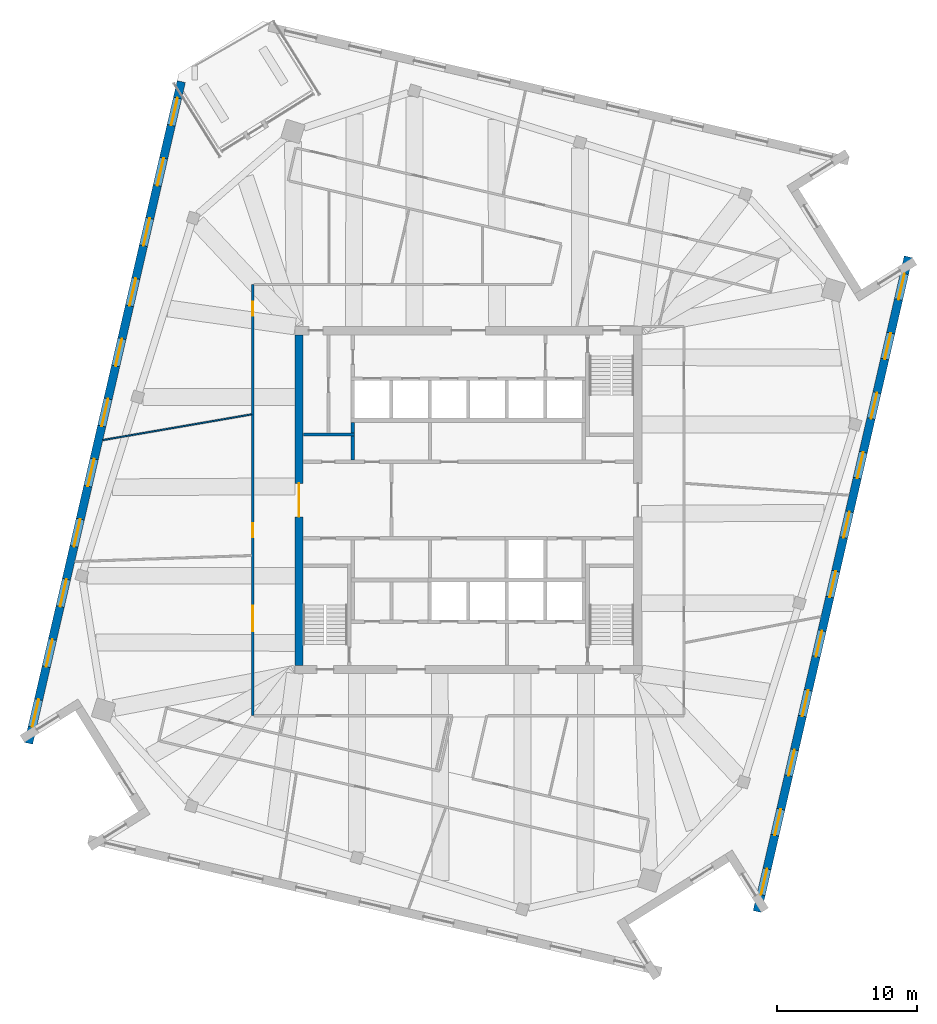
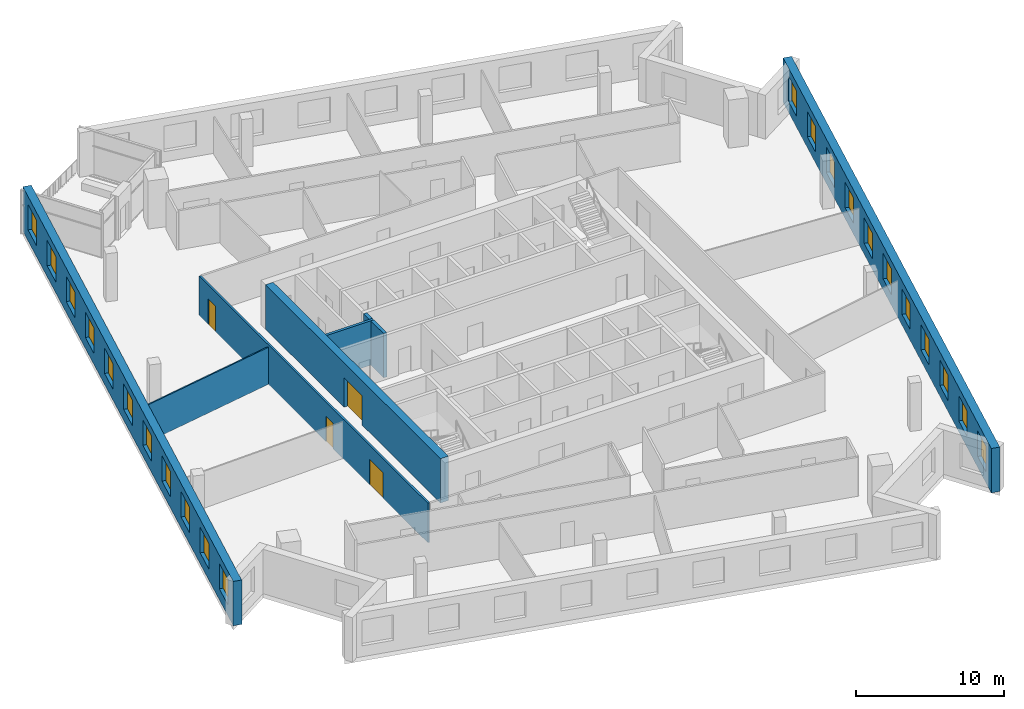
# One storey, part 8 of 14: 22 windows, 8 walls, 4 doors, 26 openings.
"""IFC4 building model written with IfcOpenShell, lengths in metres."""

from ifc_helpers import new_model, si_unit, direction, frame, frame_2d, origin, place, context, subcontext, project, spatial, rectangle, extrude, material, layer, layer_set, type_object, element, fill, save


model = new_model("IFC4")

# Units and contexts
model_context = context("Model", 3, precision=1e-05, world=origin(), true_north=direction((0.0, 1.0)))
body_context = subcontext(model_context, "Body", "Model", "MODEL_VIEW")
ifc_project = project(units=[si_unit("LENGTHUNIT", "METRE"), si_unit("AREAUNIT", "SQUARE_METRE"), si_unit("VOLUMEUNIT", "CUBIC_METRE"), si_unit("PLANEANGLEUNIT", "RADIAN"), si_unit("MASSUNIT", "GRAM", prefix="KILO")], contexts=[model_context])

# Site, building, storey
site_placement = place(None, origin())
site = spatial("IfcSite", under=ifc_project, at=site_placement, CompositionType="ELEMENT")
building_placement = place(site_placement, origin())
building = spatial("IfcBuilding", under=site, at=building_placement, Name="Dilmun Exchange Tower", CompositionType="ELEMENT")
storey_placement = place(building_placement, frame((0.0, 0.0, 332.5)))
storey = spatial("IfcBuildingStorey", under=building, at=storey_placement, Name="L79", CompositionType="ELEMENT", Elevation=332.5)

# Walls
ifc_material_1 = material(Name="Concrete C40/50", Category="concrete")
ifc_layer_1 = layer(ifc_material_1, 0.199951171875)
ifc_layer_set_1 = layer_set([ifc_layer_1], Name="Concrete C40/50")
wall_type_1 = type_object("IfcWallType", Name="Core partition wall 200", PredefinedType="PARTITIONING", material=ifc_layer_set_1)
wall_1_placement = place(storey_placement, frame((-11.794921875, 4.675048828125, 0.0), z_axis=(0.0, 0.0, 1.0), x_axis=(1.0, 0.0, 0.0)))
element("IfcWall", 1, at=wall_1_placement, inside=storey, type_object=wall_type_1, Name="L79 core partition wall 16", PredefinedType="PARTITIONING", context=body_context, shape_type="SweptSolid", body=[
    extrude(rectangle(XDim=3.64501953125, YDim=0.199951171875, at=frame_2d((1.822509765625, 0.0))), origin(), (0.0, 0.0, 1.0), 3.64990234375),
])
ifc_layer_2 = layer(ifc_material_1, 0.25)
ifc_layer_set_2 = layer_set([ifc_layer_2], Name="Concrete C40/50")
wall_type_2 = type_object("IfcWallType", Name="Core partition wall 250", PredefinedType="PARTITIONING", material=ifc_layer_set_2)
wall_2_placement = place(storey_placement, frame((-8.25, 2.85498046875, 0.0), z_axis=(0.0, 0.0, 1.0), x_axis=(0.0, 1.0, 0.0)))
element("IfcWall", 2, at=wall_2_placement, inside=storey, type_object=wall_type_2, Name="L79 core partition wall 13", PredefinedType="PARTITIONING", context=body_context, shape_type="SweptSolid", body=[
    extrude(rectangle(XDim=1.715087890625, YDim=0.25, at=frame_2d((0.857421875, 0.0))), origin(), (0.0, 0.0, 1.0), 3.64990234375),
])
wall_3_placement = place(storey_placement, frame((-8.25, 4.780029296875, 0.0), z_axis=(0.0, 0.0, 1.0), x_axis=(0.0, 1.0, 0.0)))
element("IfcWall", 3, at=wall_3_placement, inside=storey, type_object=wall_type_2, Name="L79 core partition wall 18", PredefinedType="PARTITIONING", context=body_context, shape_type="SweptSolid", body=[
    extrude(rectangle(XDim=0.764892578125, YDim=0.25, at=frame_2d((0.38232421875, 0.0))), origin(), (0.0, 0.0, 1.0), 3.64990234375),
])

# Wall, opening, door
ifc_material_2 = material(Name="Concrete C50/60", Category="concrete")
ifc_layer_3 = layer(ifc_material_2, 0.60009765625)
ifc_layer_set_3 = layer_set([ifc_layer_3], Name="Concrete C50/60")
wall_type_3 = type_object("IfcWallType", Name="Core shear wall 600 Concrete C50/60", PredefinedType="SHEAR", material=ifc_layer_set_3)
wall_4_placement = place(storey_placement, frame((-12.10009765625, -11.800048828125, 0.0), z_axis=(0.0, 0.0, 1.0), x_axis=(0.0, 1.0, 0.0)))
wall_4 = element("IfcWall", 4, at=wall_4_placement, inside=storey, type_object=wall_type_3, Name="L79 core shear wall W", PredefinedType="SHEAR", context=body_context, shape_type="SweptSolid", body=[
    extrude(rectangle(XDim=23.60009765625, YDim=0.60009765625, at=frame_2d((11.800048828125, 0.0))), origin(), (0.0, 0.0, 1.0), 3.64990234375),
])
opening_1_placement = place(wall_4_placement, frame((10.60009765625, 0.0, 0.0)))
opening_1 = element("IfcOpeningElement", 5, at=opening_1_placement, cuts=wall_4, Name="Opening CD1", PredefinedType="OPENING", context=body_context, shape_type="SweptSolid", body=[
    extrude(rectangle(XDim=2.39990234375, YDim=2.39990234375, at=frame_2d((1.199951171875, 1.199951171875))), frame((0.0, 0.31005859375, 0.0), z_axis=(0.0, -1.0, 0.0), x_axis=(1.0, 0.0, 0.0)), (0.0, 0.0, 1.0), 0.6201171875),
])
ifc_material_3 = material(Name="Fire-rated steel door set", Category="steel")
door_type_1 = type_object("IfcDoorType", Name="Core lobby door 2400x2400", OperationType="DOUBLE_DOOR_DOUBLE_SWING", PredefinedType="DOOR", material=ifc_material_3)
door_1_placement = place(opening_1_placement, origin())
door_1 = element("IfcDoor", 6, at=door_1_placement, inside=storey, type_object=door_type_1, Name="L79 door Central lift lobby", OperationType="SINGLE_SWING_LEFT", OverallHeight=2.39990234375, OverallWidth=2.39990234375, PredefinedType="DOOR", context=body_context, shape_type="SweptSolid", body=[
    extrude(rectangle(XDim=2.39990234375, YDim=2.39990234375, at=frame_2d((1.199951171875, 1.199951171875))), frame((0.0, 0.02490234375, 0.0), z_axis=(0.0, -1.0, 0.0), x_axis=(1.0, 0.0, 0.0)), (0.0, 0.0, 1.0), 0.050048828125),
])
fill(opening_1, door_1)

# Wall, openings, doors
ifc_material_4 = material(Name="Corridor wall 150")
ifc_layer_4 = layer(ifc_material_4, 0.14990234375)
ifc_layer_set_4 = layer_set([ifc_layer_4], Name="Corridor wall 150")
wall_type_4 = type_object("IfcWallType", Name="Corridor wall 150", PredefinedType="PARTITIONING", material=ifc_layer_set_4)
wall_5_placement = place(storey_placement, frame((-15.39990234375, -15.39990234375, 0.0), z_axis=(0.0, 0.0, 1.0), x_axis=(0.0, 1.0, 0.0)))
wall_5 = element("IfcWall", 7, at=wall_5_placement, inside=storey, type_object=wall_type_4, Name="Corridor wall", PredefinedType="PARTITIONING", context=body_context, shape_type="SweptSolid", body=[
    extrude(rectangle(XDim=30.7998046875, YDim=0.14990234375, at=frame_2d((15.39990234375, 0.0))), origin(), (0.0, 0.0, 1.0), 3.25),
])
opening_2_placement = place(wall_5_placement, frame((12.74072265625, 0.0, 0.0)))
opening_2 = element("IfcOpeningElement", 8, at=opening_2_placement, cuts=wall_5, Name="Opening TF79-D01", PredefinedType="OPENING", context=body_context, shape_type="SweptSolid", body=[
    extrude(rectangle(XDim=1.0, YDim=2.10009765625, at=frame_2d((0.5, 1.050048828125))), frame((0.0, 0.0849609375, 0.0), z_axis=(0.0, -1.0, 0.0), x_axis=(1.0, 0.0, 0.0)), (0.0, 0.0, 1.0), 0.169921875),
])
opening_3_placement = place(wall_5_placement, frame((6.050048828125, 0.0, 0.0)))
opening_3 = element("IfcOpeningElement", 9, at=opening_3_placement, cuts=wall_5, Name="Opening TF79-D02", PredefinedType="OPENING", context=body_context, shape_type="SweptSolid", body=[
    extrude(rectangle(XDim=1.800048828125, YDim=2.10009765625, at=frame_2d((0.89990234375, 1.050048828125))), frame((0.0, 0.0849609375, 0.0), z_axis=(0.0, -1.0, 0.0), x_axis=(1.0, 0.0, 0.0)), (0.0, 0.0, 1.0), 0.169921875),
])
opening_4_placement = place(wall_5_placement, frame((28.576904296875, 0.0, 0.0)))
opening_4 = element("IfcOpeningElement", 10, at=opening_4_placement, cuts=wall_5, Name="Opening TF79-D05", PredefinedType="OPENING", context=body_context, shape_type="SweptSolid", body=[
    extrude(rectangle(XDim=1.0, YDim=2.10009765625, at=frame_2d((0.5, 1.050048828125))), frame((0.0, 0.0849609375, 0.0), z_axis=(0.0, -1.0, 0.0), x_axis=(1.0, 0.0, 0.0)), (0.0, 0.0, 1.0), 0.169921875),
])
ifc_material_5 = material(Name="Fire door 1000 x 2100")
door_type_2 = type_object("IfcDoorType", Name="Fire door 1000 x 2100", OperationType="NOTDEFINED", PredefinedType="DOOR", material=ifc_material_5)
door_2_placement = place(opening_2_placement, origin())
door_2 = element("IfcDoor", 11, at=door_2_placement, inside=storey, type_object=door_type_2, Name="Door TF79-D01", OperationType="SINGLE_SWING_LEFT", OverallHeight=2.10009765625, OverallWidth=1.0, PredefinedType="DOOR", context=body_context, shape_type="SweptSolid", body=[
    extrude(rectangle(XDim=1.0, YDim=2.10009765625, at=frame_2d((0.5, 1.050048828125))), frame((0.0, 0.02490234375, 0.0), z_axis=(0.0, -1.0, 0.0), x_axis=(1.0, 0.0, 0.0)), (0.0, 0.0, 1.0), 0.050048828125),
])
fill(opening_2, door_2)
door_3_placement = place(opening_4_placement, origin())
door_3 = element("IfcDoor", 12, at=door_3_placement, inside=storey, type_object=door_type_2, Name="Door TF79-D05", OperationType="SINGLE_SWING_RIGHT", OverallHeight=2.10009765625, OverallWidth=1.0, PredefinedType="DOOR", context=body_context, shape_type="SweptSolid", body=[
    extrude(rectangle(XDim=1.0, YDim=2.10009765625, at=frame_2d((0.5, 1.050048828125))), frame((0.0, 0.02490234375, 0.0), z_axis=(0.0, -1.0, 0.0), x_axis=(1.0, 0.0, 0.0)), (0.0, 0.0, 1.0), 0.050048828125),
])
fill(opening_4, door_3)
ifc_material_6 = material(Name="Fire door pair 1800 x 2100")
door_type_3 = type_object("IfcDoorType", Name="Fire door pair 1800 x 2100", OperationType="NOTDEFINED", PredefinedType="DOOR", material=ifc_material_6)
door_4_placement = place(opening_3_placement, origin())
door_4 = element("IfcDoor", 13, at=door_4_placement, inside=storey, type_object=door_type_3, Name="Door TF79-D02", OperationType="DOUBLE_DOOR_SINGLE_SWING", OverallHeight=2.10009765625, OverallWidth=1.800048828125, PredefinedType="DOOR", context=body_context, shape_type="SweptSolid", body=[
    extrude(rectangle(XDim=1.800048828125, YDim=2.10009765625, at=frame_2d((0.89990234375, 1.050048828125))), frame((0.0, 0.02490234375, 0.0), z_axis=(0.0, -1.0, 0.0), x_axis=(1.0, 0.0, 0.0)), (0.0, 0.0, 1.0), 0.050048828125),
])
fill(opening_3, door_4)

# Wall
ifc_material_7 = material(Name="Partition 100")
ifc_layer_5 = layer(ifc_material_7, 0.10009765625)
ifc_layer_set_5 = layer_set([ifc_layer_5], Name="Partition 100")
wall_type_5 = type_object("IfcWallType", Name="Partition 100", PredefinedType="PARTITIONING", material=ifc_layer_set_5)
wall_6_placement = place(storey_placement, frame((-26.103271484375, 4.2841796875, 0.0), z_axis=(0.0, 0.0, 1.0), x_axis=(0.985391107222, 0.170306681627, 0.0)))
element("IfcWall", 14, at=wall_6_placement, inside=storey, type_object=wall_type_5, Name="Partition", PredefinedType="PARTITIONING", context=body_context, shape_type="SweptSolid", body=[
    extrude(rectangle(XDim=10.77734375, YDim=0.10009765625, at=frame_2d((5.388671875, 0.0))), origin(), (0.0, 0.0, 1.0), 3.050048828125),
])

# Wall, openings, windows
ifc_material_8 = material(Name="Precast concrete C50/60", Category="concrete")
ifc_layer_6 = layer(ifc_material_8, 0.60009765625)
ifc_layer_set_6 = layer_set([ifc_layer_6], Name="Precast concrete C50/60")
wall_type_6 = type_object("IfcWallType", Name="Precast stone-clad wall 600", PredefinedType="STANDARD", material=ifc_layer_set_6)
wall_7_placement = place(storey_placement, frame((-20.50439453125, 29.87841796875, 0.0), z_axis=(0.0, 0.0, 1.0), x_axis=(-0.224949596638, -0.974370401322, 0.0)))
wall_7 = element("IfcWall", 15, at=wall_7_placement, inside=storey, type_object=wall_type_6, Name="Facade wall L79-03", PredefinedType="STANDARD", context=body_context, shape_type="SweptSolid", body=[
    extrude(rectangle(XDim=48.489501953125, YDim=0.60009765625, at=frame_2d((24.24462890625, 0.0))), origin(), (0.0, 0.0, 1.0), 3.64990234375),
])
opening_5_placement = place(wall_7_placement, frame((1.2041015625, 0.0, 0.89990234375)))
opening_5 = element("IfcOpeningElement", 16, at=opening_5_placement, cuts=wall_7, Name="Opening W200-210", PredefinedType="OPENING", context=body_context, shape_type="SweptSolid", body=[
    extrude(rectangle(XDim=2.0, YDim=2.10009765625, at=frame_2d((1.0, 1.050048828125))), frame((0.0, 0.31005859375, 0.0), z_axis=(0.0, -1.0, 0.0), x_axis=(1.0, 0.0, 0.0)), (0.0, 0.0, 1.0), 0.6201171875),
])
opening_6_placement = place(wall_7_placement, frame((5.6123046875, 0.0, 0.89990234375)))
opening_6 = element("IfcOpeningElement", 17, at=opening_6_placement, cuts=wall_7, Name="Opening W200-210", PredefinedType="OPENING", context=body_context, shape_type="SweptSolid", body=[
    extrude(rectangle(XDim=2.0, YDim=2.10009765625, at=frame_2d((1.0, 1.050048828125))), frame((0.0, 0.31005859375, 0.0), z_axis=(0.0, -1.0, 0.0), x_axis=(1.0, 0.0, 0.0)), (0.0, 0.0, 1.0), 0.6201171875),
])
opening_7_placement = place(wall_7_placement, frame((10.0205078125, 0.0, 0.89990234375)))
opening_7 = element("IfcOpeningElement", 18, at=opening_7_placement, cuts=wall_7, Name="Opening W200-210", PredefinedType="OPENING", context=body_context, shape_type="SweptSolid", body=[
    extrude(rectangle(XDim=2.0, YDim=2.10009765625, at=frame_2d((1.0, 1.050048828125))), frame((0.0, 0.31005859375, 0.0), z_axis=(0.0, -1.0, 0.0), x_axis=(1.0, 0.0, 0.0)), (0.0, 0.0, 1.0), 0.6201171875),
])
opening_8_placement = place(wall_7_placement, frame((14.428466796875, 0.0, 0.89990234375)))
opening_8 = element("IfcOpeningElement", 19, at=opening_8_placement, cuts=wall_7, Name="Opening W200-210", PredefinedType="OPENING", context=body_context, shape_type="SweptSolid", body=[
    extrude(rectangle(XDim=2.0, YDim=2.10009765625, at=frame_2d((1.0, 1.050048828125))), frame((0.0, 0.31005859375, 0.0), z_axis=(0.0, -1.0, 0.0), x_axis=(1.0, 0.0, 0.0)), (0.0, 0.0, 1.0), 0.6201171875),
])
opening_9_placement = place(wall_7_placement, frame((18.836669921875, 0.0, 0.89990234375)))
opening_9 = element("IfcOpeningElement", 20, at=opening_9_placement, cuts=wall_7, Name="Opening W200-210", PredefinedType="OPENING", context=body_context, shape_type="SweptSolid", body=[
    extrude(rectangle(XDim=2.0, YDim=2.10009765625, at=frame_2d((1.0, 1.050048828125))), frame((0.0, 0.31005859375, 0.0), z_axis=(0.0, -1.0, 0.0), x_axis=(1.0, 0.0, 0.0)), (0.0, 0.0, 1.0), 0.6201171875),
])
opening_10_placement = place(wall_7_placement, frame((23.244873046875, 0.0, 0.89990234375)))
opening_10 = element("IfcOpeningElement", 21, at=opening_10_placement, cuts=wall_7, Name="Opening W200-210", PredefinedType="OPENING", context=body_context, shape_type="SweptSolid", body=[
    extrude(rectangle(XDim=2.0, YDim=2.10009765625, at=frame_2d((1.0, 1.050048828125))), frame((0.0, 0.31005859375, 0.0), z_axis=(0.0, -1.0, 0.0), x_axis=(1.0, 0.0, 0.0)), (0.0, 0.0, 1.0), 0.6201171875),
])
opening_11_placement = place(wall_7_placement, frame((27.65283203125, 0.0, 0.89990234375)))
opening_11 = element("IfcOpeningElement", 22, at=opening_11_placement, cuts=wall_7, Name="Opening W200-210", PredefinedType="OPENING", context=body_context, shape_type="SweptSolid", body=[
    extrude(rectangle(XDim=2.0, YDim=2.10009765625, at=frame_2d((1.0, 1.050048828125))), frame((0.0, 0.31005859375, 0.0), z_axis=(0.0, -1.0, 0.0), x_axis=(1.0, 0.0, 0.0)), (0.0, 0.0, 1.0), 0.6201171875),
])
opening_12_placement = place(wall_7_placement, frame((32.06103515625, 0.0, 0.89990234375)))
opening_12 = element("IfcOpeningElement", 23, at=opening_12_placement, cuts=wall_7, Name="Opening W200-210", PredefinedType="OPENING", context=body_context, shape_type="SweptSolid", body=[
    extrude(rectangle(XDim=2.0, YDim=2.10009765625, at=frame_2d((1.0, 1.050048828125))), frame((0.0, 0.31005859375, 0.0), z_axis=(0.0, -1.0, 0.0), x_axis=(1.0, 0.0, 0.0)), (0.0, 0.0, 1.0), 0.6201171875),
])
opening_13_placement = place(wall_7_placement, frame((36.46923828125, 0.0, 0.89990234375)))
opening_13 = element("IfcOpeningElement", 24, at=opening_13_placement, cuts=wall_7, Name="Opening W200-210", PredefinedType="OPENING", context=body_context, shape_type="SweptSolid", body=[
    extrude(rectangle(XDim=2.0, YDim=2.10009765625, at=frame_2d((1.0, 1.050048828125))), frame((0.0, 0.31005859375, 0.0), z_axis=(0.0, -1.0, 0.0), x_axis=(1.0, 0.0, 0.0)), (0.0, 0.0, 1.0), 0.6201171875),
])
opening_14_placement = place(wall_7_placement, frame((40.87744140625, 0.0, 0.89990234375)))
opening_14 = element("IfcOpeningElement", 25, at=opening_14_placement, cuts=wall_7, Name="Opening W200-210", PredefinedType="OPENING", context=body_context, shape_type="SweptSolid", body=[
    extrude(rectangle(XDim=2.0, YDim=2.10009765625, at=frame_2d((1.0, 1.050048828125))), frame((0.0, 0.31005859375, 0.0), z_axis=(0.0, -1.0, 0.0), x_axis=(1.0, 0.0, 0.0)), (0.0, 0.0, 1.0), 0.6201171875),
])
opening_15_placement = place(wall_7_placement, frame((45.285400390625, 0.0, 0.89990234375)))
opening_15 = element("IfcOpeningElement", 26, at=opening_15_placement, cuts=wall_7, Name="Opening W200-210", PredefinedType="OPENING", context=body_context, shape_type="SweptSolid", body=[
    extrude(rectangle(XDim=2.0, YDim=2.10009765625, at=frame_2d((1.0, 1.050048828125))), frame((0.0, 0.31005859375, 0.0), z_axis=(0.0, -1.0, 0.0), x_axis=(1.0, 0.0, 0.0)), (0.0, 0.0, 1.0), 0.6201171875),
])
ifc_material_9 = material(Name="Clear low-emissivity glass in aluminium frame", Category="aluminium")
window_type_1 = type_object("IfcWindowType", Name="Punched window 2000 x 2100", PartitioningType="DOUBLE_PANEL_VERTICAL", PredefinedType="WINDOW", material=ifc_material_9)
window_1_placement = place(opening_5_placement, origin())
window_1 = element("IfcWindow", 27, at=window_1_placement, inside=storey, type_object=window_type_1, Name="Window 4.1", OverallHeight=2.10009765625, OverallWidth=2.0, PartitioningType="SINGLE_PANEL", PredefinedType="WINDOW", context=body_context, shape_type="SweptSolid", body=[
    extrude(rectangle(XDim=2.0, YDim=2.10009765625, at=frame_2d((1.0, 1.050048828125))), frame((0.0, 0.030029296875, 0.0), z_axis=(0.0, -1.0, 0.0), x_axis=(1.0, 0.0, 0.0)), (0.0, 0.0, 1.0), 0.06005859375),
])
fill(opening_5, window_1)
window_2_placement = place(opening_6_placement, origin())
window_2 = element("IfcWindow", 28, at=window_2_placement, inside=storey, type_object=window_type_1, Name="Window 4.2", OverallHeight=2.10009765625, OverallWidth=2.0, PartitioningType="SINGLE_PANEL", PredefinedType="WINDOW", context=body_context, shape_type="SweptSolid", body=[
    extrude(rectangle(XDim=2.0, YDim=2.10009765625, at=frame_2d((1.0, 1.050048828125))), frame((0.0, 0.030029296875, 0.0), z_axis=(0.0, -1.0, 0.0), x_axis=(1.0, 0.0, 0.0)), (0.0, 0.0, 1.0), 0.06005859375),
])
fill(opening_6, window_2)
window_3_placement = place(opening_7_placement, origin())
window_3 = element("IfcWindow", 29, at=window_3_placement, inside=storey, type_object=window_type_1, Name="Window 4.3", OverallHeight=2.10009765625, OverallWidth=2.0, PartitioningType="SINGLE_PANEL", PredefinedType="WINDOW", context=body_context, shape_type="SweptSolid", body=[
    extrude(rectangle(XDim=2.0, YDim=2.10009765625, at=frame_2d((1.0, 1.050048828125))), frame((0.0, 0.030029296875, 0.0), z_axis=(0.0, -1.0, 0.0), x_axis=(1.0, 0.0, 0.0)), (0.0, 0.0, 1.0), 0.06005859375),
])
fill(opening_7, window_3)
window_4_placement = place(opening_8_placement, origin())
window_4 = element("IfcWindow", 30, at=window_4_placement, inside=storey, type_object=window_type_1, Name="Window 4.4", OverallHeight=2.10009765625, OverallWidth=2.0, PartitioningType="SINGLE_PANEL", PredefinedType="WINDOW", context=body_context, shape_type="SweptSolid", body=[
    extrude(rectangle(XDim=2.0, YDim=2.10009765625, at=frame_2d((1.0, 1.050048828125))), frame((0.0, 0.030029296875, 0.0), z_axis=(0.0, -1.0, 0.0), x_axis=(1.0, 0.0, 0.0)), (0.0, 0.0, 1.0), 0.06005859375),
])
fill(opening_8, window_4)
window_5_placement = place(opening_9_placement, origin())
window_5 = element("IfcWindow", 31, at=window_5_placement, inside=storey, type_object=window_type_1, Name="Window 4.5", OverallHeight=2.10009765625, OverallWidth=2.0, PartitioningType="SINGLE_PANEL", PredefinedType="WINDOW", context=body_context, shape_type="SweptSolid", body=[
    extrude(rectangle(XDim=2.0, YDim=2.10009765625, at=frame_2d((1.0, 1.050048828125))), frame((0.0, 0.030029296875, 0.0), z_axis=(0.0, -1.0, 0.0), x_axis=(1.0, 0.0, 0.0)), (0.0, 0.0, 1.0), 0.06005859375),
])
fill(opening_9, window_5)
window_6_placement = place(opening_10_placement, origin())
window_6 = element("IfcWindow", 32, at=window_6_placement, inside=storey, type_object=window_type_1, Name="Window 4.6", OverallHeight=2.10009765625, OverallWidth=2.0, PartitioningType="SINGLE_PANEL", PredefinedType="WINDOW", context=body_context, shape_type="SweptSolid", body=[
    extrude(rectangle(XDim=2.0, YDim=2.10009765625, at=frame_2d((1.0, 1.050048828125))), frame((0.0, 0.030029296875, 0.0), z_axis=(0.0, -1.0, 0.0), x_axis=(1.0, 0.0, 0.0)), (0.0, 0.0, 1.0), 0.06005859375),
])
fill(opening_10, window_6)
window_7_placement = place(opening_11_placement, origin())
window_7 = element("IfcWindow", 33, at=window_7_placement, inside=storey, type_object=window_type_1, Name="Window 4.7", OverallHeight=2.10009765625, OverallWidth=2.0, PartitioningType="SINGLE_PANEL", PredefinedType="WINDOW", context=body_context, shape_type="SweptSolid", body=[
    extrude(rectangle(XDim=2.0, YDim=2.10009765625, at=frame_2d((1.0, 1.050048828125))), frame((0.0, 0.030029296875, 0.0), z_axis=(0.0, -1.0, 0.0), x_axis=(1.0, 0.0, 0.0)), (0.0, 0.0, 1.0), 0.06005859375),
])
fill(opening_11, window_7)
window_8_placement = place(opening_12_placement, origin())
window_8 = element("IfcWindow", 34, at=window_8_placement, inside=storey, type_object=window_type_1, Name="Window 4.8", OverallHeight=2.10009765625, OverallWidth=2.0, PartitioningType="SINGLE_PANEL", PredefinedType="WINDOW", context=body_context, shape_type="SweptSolid", body=[
    extrude(rectangle(XDim=2.0, YDim=2.10009765625, at=frame_2d((1.0, 1.050048828125))), frame((0.0, 0.030029296875, 0.0), z_axis=(0.0, -1.0, 0.0), x_axis=(1.0, 0.0, 0.0)), (0.0, 0.0, 1.0), 0.06005859375),
])
fill(opening_12, window_8)
window_9_placement = place(opening_13_placement, origin())
window_9 = element("IfcWindow", 35, at=window_9_placement, inside=storey, type_object=window_type_1, Name="Window 4.9", OverallHeight=2.10009765625, OverallWidth=2.0, PartitioningType="SINGLE_PANEL", PredefinedType="WINDOW", context=body_context, shape_type="SweptSolid", body=[
    extrude(rectangle(XDim=2.0, YDim=2.10009765625, at=frame_2d((1.0, 1.050048828125))), frame((0.0, 0.030029296875, 0.0), z_axis=(0.0, -1.0, 0.0), x_axis=(1.0, 0.0, 0.0)), (0.0, 0.0, 1.0), 0.06005859375),
])
fill(opening_13, window_9)
window_10_placement = place(opening_14_placement, origin())
window_10 = element("IfcWindow", 36, at=window_10_placement, inside=storey, type_object=window_type_1, Name="Window 4.10", OverallHeight=2.10009765625, OverallWidth=2.0, PartitioningType="SINGLE_PANEL", PredefinedType="WINDOW", context=body_context, shape_type="SweptSolid", body=[
    extrude(rectangle(XDim=2.0, YDim=2.10009765625, at=frame_2d((1.0, 1.050048828125))), frame((0.0, 0.030029296875, 0.0), z_axis=(0.0, -1.0, 0.0), x_axis=(1.0, 0.0, 0.0)), (0.0, 0.0, 1.0), 0.06005859375),
])
fill(opening_14, window_10)
window_11_placement = place(opening_15_placement, origin())
window_11 = element("IfcWindow", 37, at=window_11_placement, inside=storey, type_object=window_type_1, Name="Window 4.11", OverallHeight=2.10009765625, OverallWidth=2.0, PartitioningType="SINGLE_PANEL", PredefinedType="WINDOW", context=body_context, shape_type="SweptSolid", body=[
    extrude(rectangle(XDim=2.0, YDim=2.10009765625, at=frame_2d((1.0, 1.050048828125))), frame((0.0, 0.030029296875, 0.0), z_axis=(0.0, -1.0, 0.0), x_axis=(1.0, 0.0, 0.0)), (0.0, 0.0, 1.0), 0.06005859375),
])
fill(opening_15, window_11)

wall_8_placement = place(storey_placement, frame((20.619140625, -29.380859375, 0.0), z_axis=(0.0, 0.0, 1.0), x_axis=(0.224952041908, 0.974369836788, 0.0)))
wall_8 = element("IfcWall", 38, at=wall_8_placement, inside=storey, type_object=wall_type_6, Name="Facade wall L79-11", PredefinedType="STANDARD", context=body_context, shape_type="SweptSolid", body=[
    extrude(rectangle(XDim=47.97900390625, YDim=0.60009765625, at=frame_2d((23.989501953125, 0.0))), origin(), (0.0, 0.0, 1.0), 3.64990234375),
])
opening_16_placement = place(wall_8_placement, frame((1.23095703125, 0.0, 0.89990234375)))
opening_16 = element("IfcOpeningElement", 39, at=opening_16_placement, cuts=wall_8, Name="Opening W190-210", PredefinedType="OPENING", context=body_context, shape_type="SweptSolid", body=[
    extrude(rectangle(XDim=1.89990234375, YDim=2.10009765625, at=frame_2d((0.949951171875, 1.050048828125))), frame((0.0, 0.31005859375, 0.0), z_axis=(0.0, -1.0, 0.0), x_axis=(1.0, 0.0, 0.0)), (0.0, 0.0, 1.0), 0.6201171875),
])
opening_17_placement = place(wall_8_placement, frame((5.592529296875, 0.0, 0.89990234375)))
opening_17 = element("IfcOpeningElement", 40, at=opening_17_placement, cuts=wall_8, Name="Opening W190-210", PredefinedType="OPENING", context=body_context, shape_type="SweptSolid", body=[
    extrude(rectangle(XDim=1.89990234375, YDim=2.10009765625, at=frame_2d((0.949951171875, 1.050048828125))), frame((0.0, 0.31005859375, 0.0), z_axis=(0.0, -1.0, 0.0), x_axis=(1.0, 0.0, 0.0)), (0.0, 0.0, 1.0), 0.6201171875),
])
opening_18_placement = place(wall_8_placement, frame((9.954345703125, 0.0, 0.89990234375)))
opening_18 = element("IfcOpeningElement", 41, at=opening_18_placement, cuts=wall_8, Name="Opening W190-210", PredefinedType="OPENING", context=body_context, shape_type="SweptSolid", body=[
    extrude(rectangle(XDim=1.89990234375, YDim=2.10009765625, at=frame_2d((0.949951171875, 1.050048828125))), frame((0.0, 0.31005859375, 0.0), z_axis=(0.0, -1.0, 0.0), x_axis=(1.0, 0.0, 0.0)), (0.0, 0.0, 1.0), 0.6201171875),
])
opening_19_placement = place(wall_8_placement, frame((14.316162109375, 0.0, 0.89990234375)))
opening_19 = element("IfcOpeningElement", 42, at=opening_19_placement, cuts=wall_8, Name="Opening W190-210", PredefinedType="OPENING", context=body_context, shape_type="SweptSolid", body=[
    extrude(rectangle(XDim=1.89990234375, YDim=2.10009765625, at=frame_2d((0.949951171875, 1.050048828125))), frame((0.0, 0.31005859375, 0.0), z_axis=(0.0, -1.0, 0.0), x_axis=(1.0, 0.0, 0.0)), (0.0, 0.0, 1.0), 0.6201171875),
])
opening_20_placement = place(wall_8_placement, frame((18.677734375, 0.0, 0.89990234375)))
opening_20 = element("IfcOpeningElement", 43, at=opening_20_placement, cuts=wall_8, Name="Opening W190-210", PredefinedType="OPENING", context=body_context, shape_type="SweptSolid", body=[
    extrude(rectangle(XDim=1.89990234375, YDim=2.10009765625, at=frame_2d((0.949951171875, 1.050048828125))), frame((0.0, 0.31005859375, 0.0), z_axis=(0.0, -1.0, 0.0), x_axis=(1.0, 0.0, 0.0)), (0.0, 0.0, 1.0), 0.6201171875),
])
opening_21_placement = place(wall_8_placement, frame((23.03955078125, 0.0, 0.89990234375)))
opening_21 = element("IfcOpeningElement", 44, at=opening_21_placement, cuts=wall_8, Name="Opening W190-210", PredefinedType="OPENING", context=body_context, shape_type="SweptSolid", body=[
    extrude(rectangle(XDim=1.89990234375, YDim=2.10009765625, at=frame_2d((0.949951171875, 1.050048828125))), frame((0.0, 0.31005859375, 0.0), z_axis=(0.0, -1.0, 0.0), x_axis=(1.0, 0.0, 0.0)), (0.0, 0.0, 1.0), 0.6201171875),
])
opening_22_placement = place(wall_8_placement, frame((27.4013671875, 0.0, 0.89990234375)))
opening_22 = element("IfcOpeningElement", 45, at=opening_22_placement, cuts=wall_8, Name="Opening W190-210", PredefinedType="OPENING", context=body_context, shape_type="SweptSolid", body=[
    extrude(rectangle(XDim=1.89990234375, YDim=2.10009765625, at=frame_2d((0.949951171875, 1.050048828125))), frame((0.0, 0.31005859375, 0.0), z_axis=(0.0, -1.0, 0.0), x_axis=(1.0, 0.0, 0.0)), (0.0, 0.0, 1.0), 0.6201171875),
])
opening_23_placement = place(wall_8_placement, frame((31.76318359375, 0.0, 0.89990234375)))
opening_23 = element("IfcOpeningElement", 46, at=opening_23_placement, cuts=wall_8, Name="Opening W190-210", PredefinedType="OPENING", context=body_context, shape_type="SweptSolid", body=[
    extrude(rectangle(XDim=1.89990234375, YDim=2.10009765625, at=frame_2d((0.949951171875, 1.050048828125))), frame((0.0, 0.31005859375, 0.0), z_axis=(0.0, -1.0, 0.0), x_axis=(1.0, 0.0, 0.0)), (0.0, 0.0, 1.0), 0.6201171875),
])
opening_24_placement = place(wall_8_placement, frame((36.124755859375, 0.0, 0.89990234375)))
opening_24 = element("IfcOpeningElement", 47, at=opening_24_placement, cuts=wall_8, Name="Opening W190-210", PredefinedType="OPENING", context=body_context, shape_type="SweptSolid", body=[
    extrude(rectangle(XDim=1.89990234375, YDim=2.10009765625, at=frame_2d((0.949951171875, 1.050048828125))), frame((0.0, 0.31005859375, 0.0), z_axis=(0.0, -1.0, 0.0), x_axis=(1.0, 0.0, 0.0)), (0.0, 0.0, 1.0), 0.6201171875),
])
opening_25_placement = place(wall_8_placement, frame((40.486572265625, 0.0, 0.89990234375)))
opening_25 = element("IfcOpeningElement", 48, at=opening_25_placement, cuts=wall_8, Name="Opening W190-210", PredefinedType="OPENING", context=body_context, shape_type="SweptSolid", body=[
    extrude(rectangle(XDim=1.89990234375, YDim=2.10009765625, at=frame_2d((0.949951171875, 1.050048828125))), frame((0.0, 0.31005859375, 0.0), z_axis=(0.0, -1.0, 0.0), x_axis=(1.0, 0.0, 0.0)), (0.0, 0.0, 1.0), 0.6201171875),
])
opening_26_placement = place(wall_8_placement, frame((44.848388671875, 0.0, 0.89990234375)))
opening_26 = element("IfcOpeningElement", 49, at=opening_26_placement, cuts=wall_8, Name="Opening W190-210", PredefinedType="OPENING", context=body_context, shape_type="SweptSolid", body=[
    extrude(rectangle(XDim=1.89990234375, YDim=2.10009765625, at=frame_2d((0.949951171875, 1.050048828125))), frame((0.0, 0.31005859375, 0.0), z_axis=(0.0, -1.0, 0.0), x_axis=(1.0, 0.0, 0.0)), (0.0, 0.0, 1.0), 0.6201171875),
])
window_type_2 = type_object("IfcWindowType", Name="Punched window 1900 x 2100", PartitioningType="DOUBLE_PANEL_VERTICAL", PredefinedType="WINDOW", material=ifc_material_9)
window_12_placement = place(opening_16_placement, origin())
window_12 = element("IfcWindow", 50, at=window_12_placement, inside=storey, type_object=window_type_2, Name="Window 12.1", OverallHeight=2.10009765625, OverallWidth=1.89990234375, PartitioningType="SINGLE_PANEL", PredefinedType="WINDOW", context=body_context, shape_type="SweptSolid", body=[
    extrude(rectangle(XDim=1.89990234375, YDim=2.10009765625, at=frame_2d((0.949951171875, 1.050048828125))), frame((0.0, 0.030029296875, 0.0), z_axis=(0.0, -1.0, 0.0), x_axis=(1.0, 0.0, 0.0)), (0.0, 0.0, 1.0), 0.06005859375),
])
fill(opening_16, window_12)
window_13_placement = place(opening_17_placement, origin())
window_13 = element("IfcWindow", 51, at=window_13_placement, inside=storey, type_object=window_type_2, Name="Window 12.2", OverallHeight=2.10009765625, OverallWidth=1.89990234375, PartitioningType="SINGLE_PANEL", PredefinedType="WINDOW", context=body_context, shape_type="SweptSolid", body=[
    extrude(rectangle(XDim=1.89990234375, YDim=2.10009765625, at=frame_2d((0.949951171875, 1.050048828125))), frame((0.0, 0.030029296875, 0.0), z_axis=(0.0, -1.0, 0.0), x_axis=(1.0, 0.0, 0.0)), (0.0, 0.0, 1.0), 0.06005859375),
])
fill(opening_17, window_13)
window_14_placement = place(opening_18_placement, origin())
window_14 = element("IfcWindow", 52, at=window_14_placement, inside=storey, type_object=window_type_2, Name="Window 12.3", OverallHeight=2.10009765625, OverallWidth=1.89990234375, PartitioningType="SINGLE_PANEL", PredefinedType="WINDOW", context=body_context, shape_type="SweptSolid", body=[
    extrude(rectangle(XDim=1.89990234375, YDim=2.10009765625, at=frame_2d((0.949951171875, 1.050048828125))), frame((0.0, 0.030029296875, 0.0), z_axis=(0.0, -1.0, 0.0), x_axis=(1.0, 0.0, 0.0)), (0.0, 0.0, 1.0), 0.06005859375),
])
fill(opening_18, window_14)
window_15_placement = place(opening_19_placement, origin())
window_15 = element("IfcWindow", 53, at=window_15_placement, inside=storey, type_object=window_type_2, Name="Window 12.4", OverallHeight=2.10009765625, OverallWidth=1.89990234375, PartitioningType="SINGLE_PANEL", PredefinedType="WINDOW", context=body_context, shape_type="SweptSolid", body=[
    extrude(rectangle(XDim=1.89990234375, YDim=2.10009765625, at=frame_2d((0.949951171875, 1.050048828125))), frame((0.0, 0.030029296875, 0.0), z_axis=(0.0, -1.0, 0.0), x_axis=(1.0, 0.0, 0.0)), (0.0, 0.0, 1.0), 0.06005859375),
])
fill(opening_19, window_15)
window_16_placement = place(opening_20_placement, origin())
window_16 = element("IfcWindow", 54, at=window_16_placement, inside=storey, type_object=window_type_2, Name="Window 12.5", OverallHeight=2.10009765625, OverallWidth=1.89990234375, PartitioningType="SINGLE_PANEL", PredefinedType="WINDOW", context=body_context, shape_type="SweptSolid", body=[
    extrude(rectangle(XDim=1.89990234375, YDim=2.10009765625, at=frame_2d((0.949951171875, 1.050048828125))), frame((0.0, 0.030029296875, 0.0), z_axis=(0.0, -1.0, 0.0), x_axis=(1.0, 0.0, 0.0)), (0.0, 0.0, 1.0), 0.06005859375),
])
fill(opening_20, window_16)
window_17_placement = place(opening_21_placement, origin())
window_17 = element("IfcWindow", 55, at=window_17_placement, inside=storey, type_object=window_type_2, Name="Window 12.6", OverallHeight=2.10009765625, OverallWidth=1.89990234375, PartitioningType="SINGLE_PANEL", PredefinedType="WINDOW", context=body_context, shape_type="SweptSolid", body=[
    extrude(rectangle(XDim=1.89990234375, YDim=2.10009765625, at=frame_2d((0.949951171875, 1.050048828125))), frame((0.0, 0.030029296875, 0.0), z_axis=(0.0, -1.0, 0.0), x_axis=(1.0, 0.0, 0.0)), (0.0, 0.0, 1.0), 0.06005859375),
])
fill(opening_21, window_17)
window_18_placement = place(opening_22_placement, origin())
window_18 = element("IfcWindow", 56, at=window_18_placement, inside=storey, type_object=window_type_2, Name="Window 12.7", OverallHeight=2.10009765625, OverallWidth=1.89990234375, PartitioningType="SINGLE_PANEL", PredefinedType="WINDOW", context=body_context, shape_type="SweptSolid", body=[
    extrude(rectangle(XDim=1.89990234375, YDim=2.10009765625, at=frame_2d((0.949951171875, 1.050048828125))), frame((0.0, 0.030029296875, 0.0), z_axis=(0.0, -1.0, 0.0), x_axis=(1.0, 0.0, 0.0)), (0.0, 0.0, 1.0), 0.06005859375),
])
fill(opening_22, window_18)
window_19_placement = place(opening_23_placement, origin())
window_19 = element("IfcWindow", 57, at=window_19_placement, inside=storey, type_object=window_type_2, Name="Window 12.8", OverallHeight=2.10009765625, OverallWidth=1.89990234375, PartitioningType="SINGLE_PANEL", PredefinedType="WINDOW", context=body_context, shape_type="SweptSolid", body=[
    extrude(rectangle(XDim=1.89990234375, YDim=2.10009765625, at=frame_2d((0.949951171875, 1.050048828125))), frame((0.0, 0.030029296875, 0.0), z_axis=(0.0, -1.0, 0.0), x_axis=(1.0, 0.0, 0.0)), (0.0, 0.0, 1.0), 0.06005859375),
])
fill(opening_23, window_19)
window_20_placement = place(opening_24_placement, origin())
window_20 = element("IfcWindow", 58, at=window_20_placement, inside=storey, type_object=window_type_2, Name="Window 12.9", OverallHeight=2.10009765625, OverallWidth=1.89990234375, PartitioningType="SINGLE_PANEL", PredefinedType="WINDOW", context=body_context, shape_type="SweptSolid", body=[
    extrude(rectangle(XDim=1.89990234375, YDim=2.10009765625, at=frame_2d((0.949951171875, 1.050048828125))), frame((0.0, 0.030029296875, 0.0), z_axis=(0.0, -1.0, 0.0), x_axis=(1.0, 0.0, 0.0)), (0.0, 0.0, 1.0), 0.06005859375),
])
fill(opening_24, window_20)
window_21_placement = place(opening_25_placement, origin())
window_21 = element("IfcWindow", 59, at=window_21_placement, inside=storey, type_object=window_type_2, Name="Window 12.10", OverallHeight=2.10009765625, OverallWidth=1.89990234375, PartitioningType="SINGLE_PANEL", PredefinedType="WINDOW", context=body_context, shape_type="SweptSolid", body=[
    extrude(rectangle(XDim=1.89990234375, YDim=2.10009765625, at=frame_2d((0.949951171875, 1.050048828125))), frame((0.0, 0.030029296875, 0.0), z_axis=(0.0, -1.0, 0.0), x_axis=(1.0, 0.0, 0.0)), (0.0, 0.0, 1.0), 0.06005859375),
])
fill(opening_25, window_21)
window_22_placement = place(opening_26_placement, origin())
window_22 = element("IfcWindow", 60, at=window_22_placement, inside=storey, type_object=window_type_2, Name="Window 12.11", OverallHeight=2.10009765625, OverallWidth=1.89990234375, PartitioningType="SINGLE_PANEL", PredefinedType="WINDOW", context=body_context, shape_type="SweptSolid", body=[
    extrude(rectangle(XDim=1.89990234375, YDim=2.10009765625, at=frame_2d((0.949951171875, 1.050048828125))), frame((0.0, 0.030029296875, 0.0), z_axis=(0.0, -1.0, 0.0), x_axis=(1.0, 0.0, 0.0)), (0.0, 0.0, 1.0), 0.06005859375),
])
fill(opening_26, window_22)

save(model, "model.ifc")
